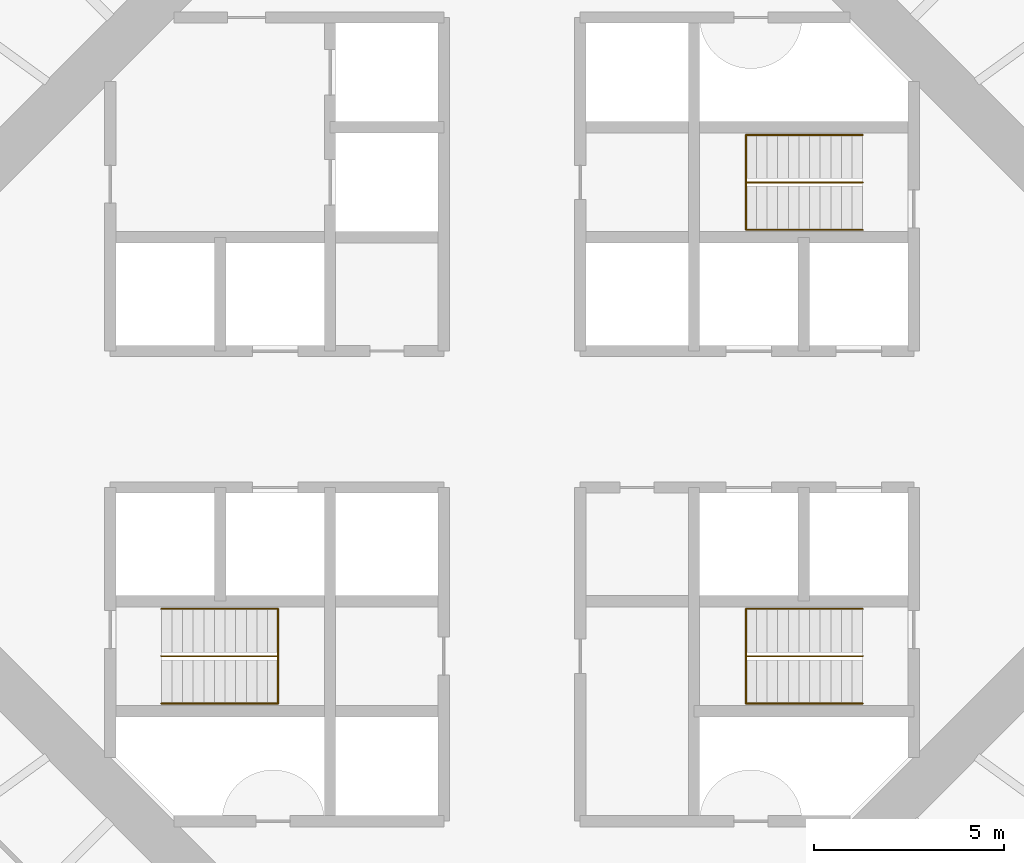
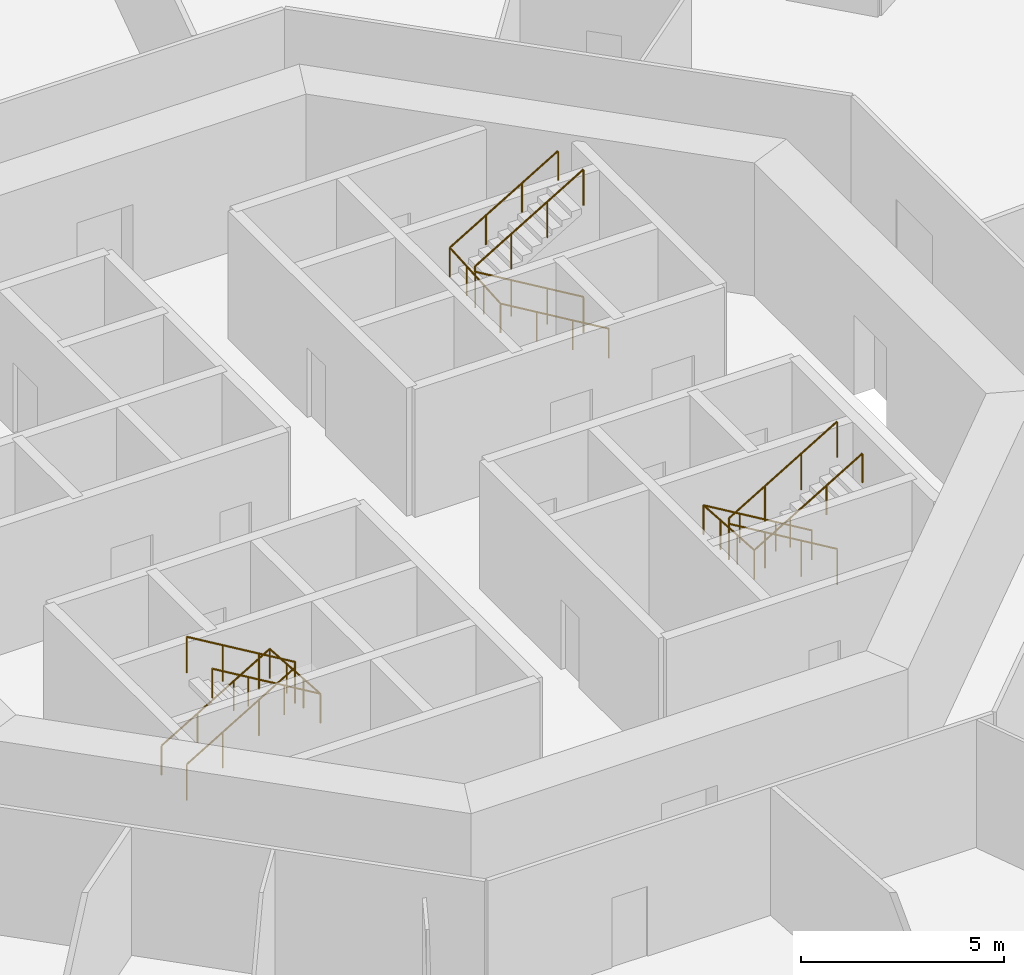
# One storey, part 13 of 13: 6 railings.
"""IFC4 building model written with IfcOpenShell, lengths in metres."""

from ifc_helpers import new_model, si_unit, direction, frame, origin, origin_2d, place, context, subcontext, project, spatial, circle, extrude, material, type_object, element, save


model = new_model("IFC4")

# Units and contexts
model_context = context("Model", 3, precision=1e-05, world=origin(), true_north=direction((0.0, 1.0)))
body_context = subcontext(model_context, "Body", "Model", "MODEL_VIEW")
ifc_project = project(units=[si_unit("LENGTHUNIT", "METRE"), si_unit("AREAUNIT", "SQUARE_METRE"), si_unit("VOLUMEUNIT", "CUBIC_METRE"), si_unit("PLANEANGLEUNIT", "RADIAN"), si_unit("MASSUNIT", "GRAM", prefix="KILO")], contexts=[model_context])

# Site, building, storey
site_placement = place(None, origin())
site = spatial("IfcSite", under=ifc_project, at=site_placement, CompositionType="ELEMENT")
building_placement = place(site_placement, origin())
building = spatial("IfcBuilding", under=site, at=building_placement, Name="Entoto Ring Tower", CompositionType="ELEMENT")
storey_placement = place(building_placement, frame((0.0, 0.0, 96.0)))
storey = spatial("IfcBuildingStorey", under=building, at=storey_placement, Name="L21", CompositionType="ELEMENT", Elevation=96.0)

# Railings
ifc_material_1 = material(Name="Steel S275", Category="steel")
railing_type_1 = type_object("IfcRailingType", Name="Stair guard 1100 mm steel", PredefinedType="GUARDRAIL", material=ifc_material_1)
railing_1_placement = place(storey_placement, frame((99.25, 86.25, 0.166748046875)))
element("IfcRailing", 1, at=railing_1_placement, inside=storey, type_object=railing_type_1, Name="Guard ST1", PredefinedType="GUARDRAIL", context=body_context, shape_type="SweptSolid", body=[
    extrude(circle(Radius=0.02392578125, at=origin_2d()), frame((0.0, 0.0, 1.076171875), z_axis=(-0.859308565015, 0.0, 0.511457515432), x_axis=(0.0, -1.0, 0.0)), (0.0, 0.0, 1.0), 3.58447265625),
    extrude(circle(Radius=0.02392578125, at=origin_2d()), frame((-3.080078125, 0.0, 2.9091796875), z_axis=(0.0, 0.0, 1.0), x_axis=(1.0, 0.0, 0.0)), (0.0, 0.0, 1.0), 0.166748046875),
    extrude(circle(Radius=0.02392578125, at=origin_2d()), frame((-3.080078125, 0.0, 3.076171875), z_axis=(0.859308565015, 0.0, 0.511457515432), x_axis=(0.0, 1.0, 0.0)), (0.0, 0.0, 1.0), 3.58447265625),
    extrude(circle(Radius=0.02099609375, at=origin_2d()), origin(), (0.0, 0.0, 1.0), 1.052001953125),
    extrude(circle(Radius=0.02099609375, at=origin_2d()), frame((-1.026611328125, 0.0, 0.611083984375)), (0.0, 0.0, 1.0), 1.052001953125),
    extrude(circle(Radius=0.02099609375, at=origin_2d()), frame((-2.053466796875, 0.0, 1.22216796875)), (0.0, 0.0, 1.0), 1.052001953125),
    extrude(circle(Radius=0.02099609375, at=origin_2d()), frame((-3.080078125, 0.0, 1.833251953125)), (0.0, 0.0, 1.0), 1.052001953125),
    extrude(circle(Radius=0.02099609375, at=origin_2d()), frame((-3.080078125, 0.0, 2.0)), (0.0, 0.0, 1.0), 1.052001953125),
    extrude(circle(Radius=0.02099609375, at=origin_2d()), frame((-2.053466796875, 0.0, 2.611083984375)), (0.0, 0.0, 1.0), 1.052001953125),
    extrude(circle(Radius=0.02099609375, at=origin_2d()), frame((-1.026611328125, 0.0, 3.22216796875)), (0.0, 0.0, 1.0), 1.052001953125),
    extrude(circle(Radius=0.02099609375, at=origin_2d()), frame((0.0, 0.0, 3.833251953125)), (0.0, 0.0, 1.0), 1.052001953125),
])
railing_2_placement = place(storey_placement, frame((80.75, 73.75, 0.166748046875)))
element("IfcRailing", 2, at=railing_2_placement, inside=storey, type_object=railing_type_1, Name="Guard ST2", PredefinedType="GUARDRAIL", context=body_context, shape_type="SweptSolid", body=[
    extrude(circle(Radius=0.02392578125, at=origin_2d()), frame((0.0, 0.0, 1.076171875), z_axis=(0.859308565015, 0.0, 0.511457515432), x_axis=(0.0, 1.0, 0.0)), (0.0, 0.0, 1.0), 3.58447265625),
    extrude(circle(Radius=0.02392578125, at=origin_2d()), frame((3.080078125, 0.0, 2.9091796875), z_axis=(0.0, 0.0, 1.0), x_axis=(1.0, 0.0, 0.0)), (0.0, 0.0, 1.0), 0.166748046875),
    extrude(circle(Radius=0.02392578125, at=origin_2d()), frame((3.080078125, 0.0, 3.076171875), z_axis=(-0.859308565015, 0.0, 0.511457515432), x_axis=(0.0, -1.0, 0.0)), (0.0, 0.0, 1.0), 3.58447265625),
    extrude(circle(Radius=0.02099609375, at=origin_2d()), origin(), (0.0, 0.0, 1.0), 1.052001953125),
    extrude(circle(Radius=0.02099609375, at=origin_2d()), frame((1.026611328125, 0.0, 0.611083984375)), (0.0, 0.0, 1.0), 1.052001953125),
    extrude(circle(Radius=0.02099609375, at=origin_2d()), frame((2.053466796875, 0.0, 1.22216796875)), (0.0, 0.0, 1.0), 1.052001953125),
    extrude(circle(Radius=0.02099609375, at=origin_2d()), frame((3.080078125, 0.0, 1.833251953125)), (0.0, 0.0, 1.0), 1.052001953125),
    extrude(circle(Radius=0.02099609375, at=origin_2d()), frame((3.080078125, 0.0, 2.0)), (0.0, 0.0, 1.0), 1.052001953125),
    extrude(circle(Radius=0.02099609375, at=origin_2d()), frame((2.053466796875, 0.0, 2.611083984375)), (0.0, 0.0, 1.0), 1.052001953125),
    extrude(circle(Radius=0.02099609375, at=origin_2d()), frame((1.026611328125, 0.0, 3.22216796875)), (0.0, 0.0, 1.0), 1.052001953125),
    extrude(circle(Radius=0.02099609375, at=origin_2d()), frame((0.0, 0.0, 3.833251953125)), (0.0, 0.0, 1.0), 1.052001953125),
])
railing_3_placement = place(storey_placement, frame((99.25, 73.75, 0.166748046875)))
element("IfcRailing", 3, at=railing_3_placement, inside=storey, type_object=railing_type_1, Name="Guard ST3", PredefinedType="GUARDRAIL", context=body_context, shape_type="SweptSolid", body=[
    extrude(circle(Radius=0.02392578125, at=origin_2d()), frame((0.0, 0.0, 1.076171875), z_axis=(-0.859308565015, 0.0, 0.511457515432), x_axis=(0.0, -1.0, 0.0)), (0.0, 0.0, 1.0), 3.58447265625),
    extrude(circle(Radius=0.02392578125, at=origin_2d()), frame((-3.080078125, 0.0, 2.9091796875), z_axis=(0.0, 0.0, 1.0), x_axis=(1.0, 0.0, 0.0)), (0.0, 0.0, 1.0), 0.166748046875),
    extrude(circle(Radius=0.02392578125, at=origin_2d()), frame((-3.080078125, 0.0, 3.076171875), z_axis=(0.859308565015, 0.0, 0.511457515432), x_axis=(0.0, 1.0, 0.0)), (0.0, 0.0, 1.0), 3.58447265625),
    extrude(circle(Radius=0.02099609375, at=origin_2d()), origin(), (0.0, 0.0, 1.0), 1.052001953125),
    extrude(circle(Radius=0.02099609375, at=origin_2d()), frame((-1.026611328125, 0.0, 0.611083984375)), (0.0, 0.0, 1.0), 1.052001953125),
    extrude(circle(Radius=0.02099609375, at=origin_2d()), frame((-2.053466796875, 0.0, 1.22216796875)), (0.0, 0.0, 1.0), 1.052001953125),
    extrude(circle(Radius=0.02099609375, at=origin_2d()), frame((-3.080078125, 0.0, 1.833251953125)), (0.0, 0.0, 1.0), 1.052001953125),
    extrude(circle(Radius=0.02099609375, at=origin_2d()), frame((-3.080078125, 0.0, 2.0)), (0.0, 0.0, 1.0), 1.052001953125),
    extrude(circle(Radius=0.02099609375, at=origin_2d()), frame((-2.053466796875, 0.0, 2.611083984375)), (0.0, 0.0, 1.0), 1.052001953125),
    extrude(circle(Radius=0.02099609375, at=origin_2d()), frame((-1.026611328125, 0.0, 3.22216796875)), (0.0, 0.0, 1.0), 1.052001953125),
    extrude(circle(Radius=0.02099609375, at=origin_2d()), frame((0.0, 0.0, 3.833251953125)), (0.0, 0.0, 1.0), 1.052001953125),
])
ifc_material_2 = material(Name="Steel S275", Category="steel")
railing_type_2 = type_object("IfcRailingType", Name="Stair handrail 900 mm steel", PredefinedType="HANDRAIL", material=ifc_material_2)
railing_4_placement = place(storey_placement, frame((99.25, 85.0, 0.166748046875)))
element("IfcRailing", 4, at=railing_4_placement, inside=storey, type_object=railing_type_2, Name="Handrail ST1", PredefinedType="HANDRAIL", context=body_context, shape_type="SweptSolid", body=[
    extrude(circle(Radius=0.02392578125, at=origin_2d()), frame((0.0, 0.0, 0.8759765625), z_axis=(-0.859308565015, 0.0, 0.511457515432), x_axis=(0.0, -1.0, 0.0)), (0.0, 0.0, 1.0), 3.58447265625),
    extrude(circle(Radius=0.02392578125, at=origin_2d()), frame((-3.080078125, 0.0, 2.708984375), z_axis=(0.0, 0.997783001586, 0.066551346688), x_axis=(-1.0, 0.0, 0.0)), (0.0, 0.0, 1.0), 2.505615234375),
    extrude(circle(Radius=0.02392578125, at=origin_2d()), frame((-3.080078125, 2.5, 2.8759765625), z_axis=(0.859308565015, 0.0, 0.511457515432), x_axis=(0.0, 1.0, 0.0)), (0.0, 0.0, 1.0), 3.58447265625),
    extrude(circle(Radius=0.02099609375, at=origin_2d()), origin(), (0.0, 0.0, 1.0), 0.851806640625),
    extrude(circle(Radius=0.02099609375, at=origin_2d()), frame((-1.026611328125, 0.0, 0.611083984375)), (0.0, 0.0, 1.0), 0.851806640625),
    extrude(circle(Radius=0.02099609375, at=origin_2d()), frame((-2.053466796875, 0.0, 1.22216796875)), (0.0, 0.0, 1.0), 0.851806640625),
    extrude(circle(Radius=0.02099609375, at=origin_2d()), frame((-3.080078125, 0.0, 1.833251953125)), (0.0, 0.0, 1.0), 0.851806640625),
    extrude(circle(Radius=0.02099609375, at=origin_2d()), frame((-3.080078125, 0.833251953125, 1.888916015625)), (0.0, 0.0, 1.0), 0.851806640625),
    extrude(circle(Radius=0.02099609375, at=origin_2d()), frame((-3.080078125, 1.666748046875, 1.9443359375)), (0.0, 0.0, 1.0), 0.851806640625),
    extrude(circle(Radius=0.02099609375, at=origin_2d()), frame((-3.080078125, 2.5, 2.0)), (0.0, 0.0, 1.0), 0.851806640625),
    extrude(circle(Radius=0.02099609375, at=origin_2d()), frame((-2.053466796875, 2.5, 2.611083984375)), (0.0, 0.0, 1.0), 0.851806640625),
    extrude(circle(Radius=0.02099609375, at=origin_2d()), frame((-1.026611328125, 2.5, 3.22216796875)), (0.0, 0.0, 1.0), 0.851806640625),
    extrude(circle(Radius=0.02099609375, at=origin_2d()), frame((0.0, 2.5, 3.833251953125)), (0.0, 0.0, 1.0), 0.851806640625),
])
railing_5_placement = place(storey_placement, frame((80.75, 75.0, 0.166748046875)))
element("IfcRailing", 5, at=railing_5_placement, inside=storey, type_object=railing_type_2, Name="Handrail ST2", PredefinedType="HANDRAIL", context=body_context, shape_type="SweptSolid", body=[
    extrude(circle(Radius=0.02392578125, at=origin_2d()), frame((0.0, 0.0, 0.8759765625), z_axis=(0.859308565015, 0.0, 0.511457515432), x_axis=(0.0, 1.0, 0.0)), (0.0, 0.0, 1.0), 3.58447265625),
    extrude(circle(Radius=0.02392578125, at=origin_2d()), frame((3.080078125, 0.0, 2.708984375), z_axis=(0.0, -0.997783001586, 0.066551346688), x_axis=(1.0, 0.0, 0.0)), (0.0, 0.0, 1.0), 2.505615234375),
    extrude(circle(Radius=0.02392578125, at=origin_2d()), frame((3.080078125, -2.5, 2.8759765625), z_axis=(-0.859308565015, 0.0, 0.511457515432), x_axis=(0.0, -1.0, 0.0)), (0.0, 0.0, 1.0), 3.58447265625),
    extrude(circle(Radius=0.02099609375, at=origin_2d()), origin(), (0.0, 0.0, 1.0), 0.851806640625),
    extrude(circle(Radius=0.02099609375, at=origin_2d()), frame((1.026611328125, 0.0, 0.611083984375)), (0.0, 0.0, 1.0), 0.851806640625),
    extrude(circle(Radius=0.02099609375, at=origin_2d()), frame((2.053466796875, 0.0, 1.22216796875)), (0.0, 0.0, 1.0), 0.851806640625),
    extrude(circle(Radius=0.02099609375, at=origin_2d()), frame((3.080078125, 0.0, 1.833251953125)), (0.0, 0.0, 1.0), 0.851806640625),
    extrude(circle(Radius=0.02099609375, at=origin_2d()), frame((3.080078125, -0.833251953125, 1.888916015625)), (0.0, 0.0, 1.0), 0.851806640625),
    extrude(circle(Radius=0.02099609375, at=origin_2d()), frame((3.080078125, -1.666748046875, 1.9443359375)), (0.0, 0.0, 1.0), 0.851806640625),
    extrude(circle(Radius=0.02099609375, at=origin_2d()), frame((3.080078125, -2.5, 2.0)), (0.0, 0.0, 1.0), 0.851806640625),
    extrude(circle(Radius=0.02099609375, at=origin_2d()), frame((2.053466796875, -2.5, 2.611083984375)), (0.0, 0.0, 1.0), 0.851806640625),
    extrude(circle(Radius=0.02099609375, at=origin_2d()), frame((1.026611328125, -2.5, 3.22216796875)), (0.0, 0.0, 1.0), 0.851806640625),
    extrude(circle(Radius=0.02099609375, at=origin_2d()), frame((0.0, -2.5, 3.833251953125)), (0.0, 0.0, 1.0), 0.851806640625),
])
railing_6_placement = place(storey_placement, frame((99.25, 75.0, 0.166748046875)))
element("IfcRailing", 6, at=railing_6_placement, inside=storey, type_object=railing_type_2, Name="Handrail ST3", PredefinedType="HANDRAIL", context=body_context, shape_type="SweptSolid", body=[
    extrude(circle(Radius=0.02392578125, at=origin_2d()), frame((0.0, 0.0, 0.8759765625), z_axis=(-0.859308565015, 0.0, 0.511457515432), x_axis=(0.0, -1.0, 0.0)), (0.0, 0.0, 1.0), 3.58447265625),
    extrude(circle(Radius=0.02392578125, at=origin_2d()), frame((-3.080078125, 0.0, 2.708984375), z_axis=(0.0, -0.997783001586, 0.066551346688), x_axis=(1.0, 0.0, 0.0)), (0.0, 0.0, 1.0), 2.505615234375),
    extrude(circle(Radius=0.02392578125, at=origin_2d()), frame((-3.080078125, -2.5, 2.8759765625), z_axis=(0.859308565015, 0.0, 0.511457515432), x_axis=(0.0, 1.0, 0.0)), (0.0, 0.0, 1.0), 3.58447265625),
    extrude(circle(Radius=0.02099609375, at=origin_2d()), origin(), (0.0, 0.0, 1.0), 0.851806640625),
    extrude(circle(Radius=0.02099609375, at=origin_2d()), frame((-1.026611328125, 0.0, 0.611083984375)), (0.0, 0.0, 1.0), 0.851806640625),
    extrude(circle(Radius=0.02099609375, at=origin_2d()), frame((-2.053466796875, 0.0, 1.22216796875)), (0.0, 0.0, 1.0), 0.851806640625),
    extrude(circle(Radius=0.02099609375, at=origin_2d()), frame((-3.080078125, 0.0, 1.833251953125)), (0.0, 0.0, 1.0), 0.851806640625),
    extrude(circle(Radius=0.02099609375, at=origin_2d()), frame((-3.080078125, -0.833251953125, 1.888916015625)), (0.0, 0.0, 1.0), 0.851806640625),
    extrude(circle(Radius=0.02099609375, at=origin_2d()), frame((-3.080078125, -1.666748046875, 1.9443359375)), (0.0, 0.0, 1.0), 0.851806640625),
    extrude(circle(Radius=0.02099609375, at=origin_2d()), frame((-3.080078125, -2.5, 2.0)), (0.0, 0.0, 1.0), 0.851806640625),
    extrude(circle(Radius=0.02099609375, at=origin_2d()), frame((-2.053466796875, -2.5, 2.611083984375)), (0.0, 0.0, 1.0), 0.851806640625),
    extrude(circle(Radius=0.02099609375, at=origin_2d()), frame((-1.026611328125, -2.5, 3.22216796875)), (0.0, 0.0, 1.0), 0.851806640625),
    extrude(circle(Radius=0.02099609375, at=origin_2d()), frame((0.0, -2.5, 3.833251953125)), (0.0, 0.0, 1.0), 0.851806640625),
])

save(model, "model.ifc")
